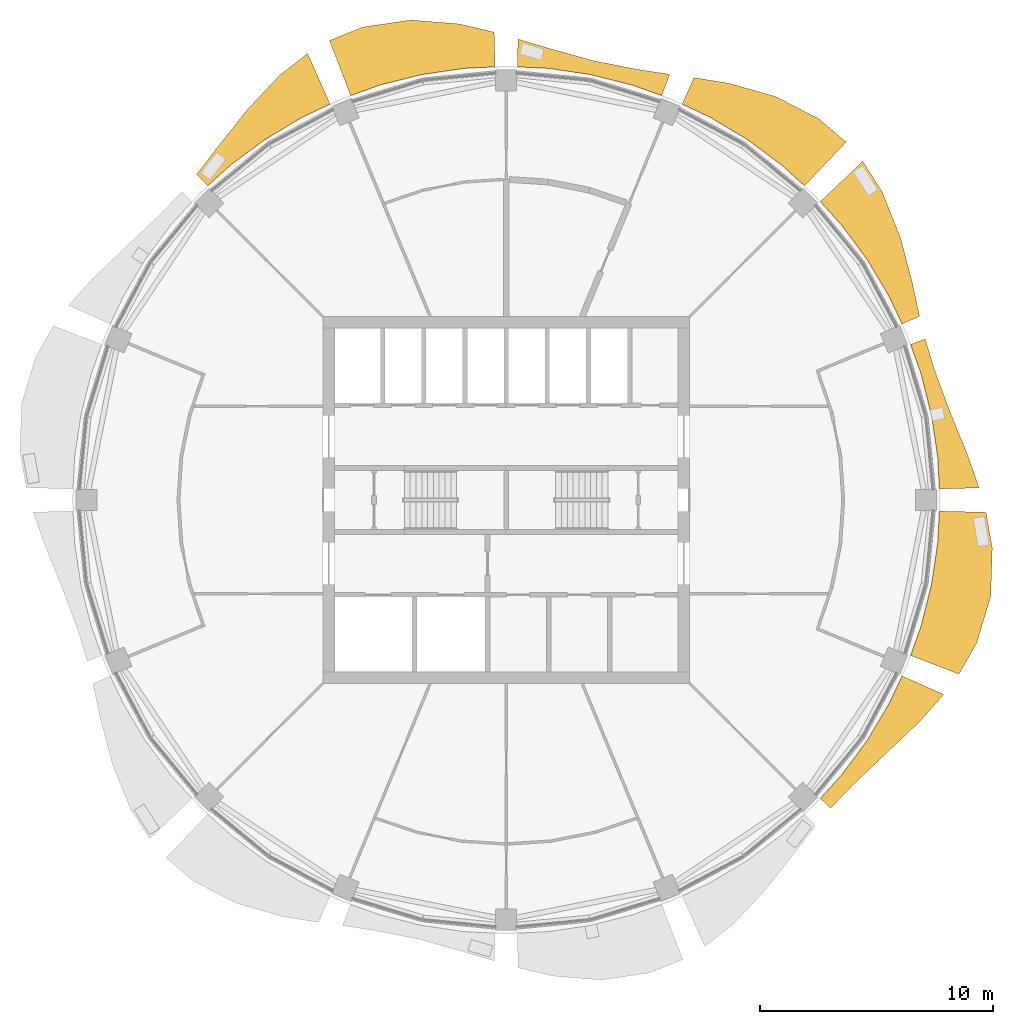
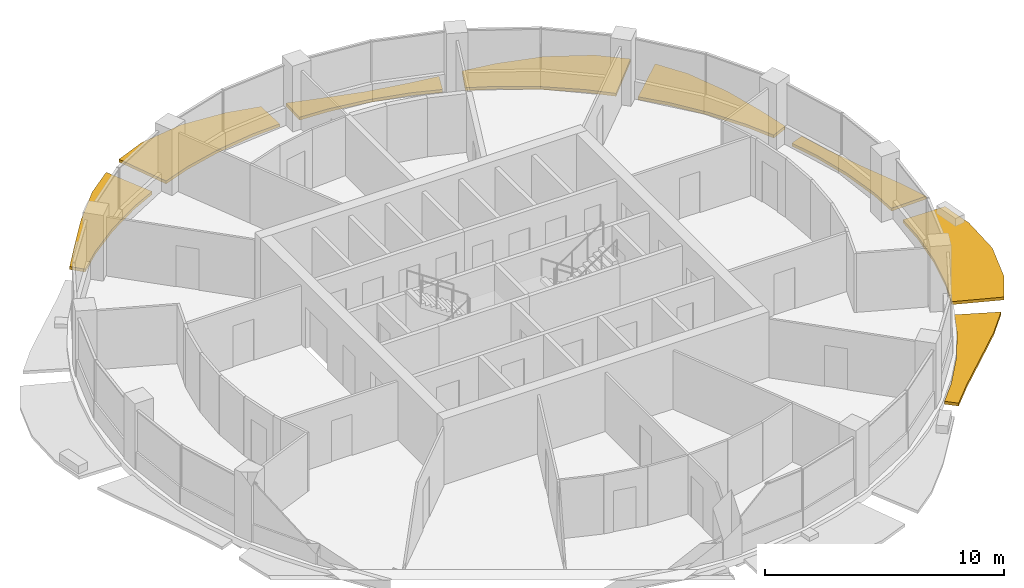
# One storey, part 14 of 15: 8 shading devices.
"""IFC4 building model written with IfcOpenShell, lengths in metres."""

from ifc_helpers import new_model, si_unit, direction, frame, origin, place, context, subcontext, project, spatial, polyline, outline, extrude, material, type_object, element, save


model = new_model("IFC4")

# Units and contexts
model_context = context("Model", 3, precision=1e-05, world=origin(), true_north=direction((0.0, 1.0)))
body_context = subcontext(model_context, "Body", "Model", "MODEL_VIEW")
ifc_project = project(units=[si_unit("LENGTHUNIT", "METRE"), si_unit("AREAUNIT", "SQUARE_METRE"), si_unit("VOLUMEUNIT", "CUBIC_METRE"), si_unit("PLANEANGLEUNIT", "RADIAN"), si_unit("MASSUNIT", "GRAM", prefix="KILO")], contexts=[model_context])

# Site, building, storey
site_placement = place(None, origin())
site = spatial("IfcSite", under=ifc_project, at=site_placement, CompositionType="ELEMENT")
building_placement = place(site_placement, origin())
building = spatial("IfcBuilding", under=site, at=building_placement, Name="Polderwave Tower", CompositionType="ELEMENT")
storey_placement = place(building_placement, frame((0.0, 0.0, 177.60009765625)))
storey = spatial("IfcBuildingStorey", under=building, at=storey_placement, Name="L47", CompositionType="ELEMENT", Elevation=177.60009765625)

# Shading devices
ifc_material = material(Name="Terracotta", Category="masonry")
shading_device_type = type_object("IfcShadingDeviceType", Name="Terracotta sunshade band", PredefinedType="USERDEFINED", material=ifc_material)
shading_device_1_placement = place(storey_placement, frame((0.0, 0.0, -0.35009765625)))
element("IfcShadingDevice", 1, at=shading_device_1_placement, inside=storey, type_object=shading_device_type, Name="Sunshade band L47 1", ObjectType="SUNSHADE", PredefinedType="USERDEFINED", context=body_context, shape_type="SweptSolid", body=[
    extrude(outline(polyline([(18.5966796875, 0.476318359375), (18.5302734375, 1.8251953125), (18.26220703125, 3.632568359375), (17.818115234375, 5.405029296875), (17.36328125, 6.676513671875), (17.985595703125, 6.915771484375), (18.39453125, 5.580078125), (19.05517578125, 3.790283203125), (19.805419921875, 1.95068359375), (20.306884765625, 0.52001953125), (18.5966796875, 0.476318359375)])), origin(), (0.0, 0.0, 1.0), 0.14990234375),
])
shading_device_2_placement = place(storey_placement, frame((0.0, 0.0, -0.35009765625)))
element("IfcShadingDevice", 2, at=shading_device_2_placement, inside=storey, type_object=shading_device_type, Name="Sunshade band L47 2", ObjectType="SUNSHADE", PredefinedType="USERDEFINED", context=body_context, shape_type="SweptSolid", body=[
    extrude(outline(polyline([(16.998779296875, 7.556640625), (16.42138671875, 8.77734375), (15.48193359375, 10.3447265625), (14.3935546875, 11.8125), (13.486572265625, 12.81298828125), (15.30908203125, 14.54443359375), (16.13818359375, 13.244384765625), (16.91845703125, 11.304443359375), (17.440185546875, 9.322021484375), (17.7470703125, 7.889404296875), (16.998779296875, 7.556640625)])), origin(), (0.0, 0.0, 1.0), 0.14990234375),
])
shading_device_3_placement = place(storey_placement, frame((0.0, 0.0, -0.35009765625)))
element("IfcShadingDevice", 3, at=shading_device_3_placement, inside=storey, type_object=shading_device_type, Name="Sunshade band L47 3", ObjectType="SUNSHADE", PredefinedType="USERDEFINED", context=body_context, shape_type="SweptSolid", body=[
    extrude(outline(polyline([(12.81298828125, 13.486572265625), (11.8125, 14.3935546875), (10.3447265625, 15.48193359375), (8.77734375, 16.42138671875), (7.556640625, 16.998779296875), (8.060791015625, 18.1328125), (9.56396484375, 17.892578125), (11.572998046875, 17.3203125), (13.4287109375, 16.363037109375), (14.599609375, 15.366943359375), (12.81298828125, 13.486572265625)])), origin(), (0.0, 0.0, 1.0), 0.14990234375),
])
shading_device_4_placement = place(storey_placement, frame((0.0, 0.0, -0.35009765625)))
element("IfcShadingDevice", 4, at=shading_device_4_placement, inside=storey, type_object=shading_device_type, Name="Sunshade band L47 4", ObjectType="SUNSHADE", PredefinedType="USERDEFINED", context=body_context, shape_type="SweptSolid", body=[
    extrude(outline(polyline([(6.676513671875, 17.36328125), (5.405029296875, 17.818115234375), (3.632568359375, 18.26220703125), (1.8251953125, 18.5302734375), (0.476318359375, 18.5966796875), (0.5068359375, 19.789794921875), (1.907958984375, 19.37255859375), (3.751220703125, 18.858642578125), (5.609619140625, 18.4921875), (7.026611328125, 18.27392578125), (6.676513671875, 17.36328125)])), origin(), (0.0, 0.0, 1.0), 0.14990234375),
])
shading_device_5_placement = place(storey_placement, frame((0.0, 0.0, -0.35009765625)))
element("IfcShadingDevice", 5, at=shading_device_5_placement, inside=storey, type_object=shading_device_type, Name="Sunshade band L47 5", ObjectType="SUNSHADE", PredefinedType="USERDEFINED", context=body_context, shape_type="SweptSolid", body=[
    extrude(outline(polyline([(-0.476318359375, 18.5966796875), (-1.8251953125, 18.5302734375), (-3.632568359375, 18.26220703125), (-5.405029296875, 17.818115234375), (-6.676513671875, 17.36328125), (-7.585693359375, 19.727783203125), (-6.1591796875, 20.303955078125), (-4.09912109375, 20.60791015625), (-2.01318359375, 20.439697265625), (-0.514404296875, 20.085205078125), (-0.476318359375, 18.5966796875)])), origin(), (0.0, 0.0, 1.0), 0.14990234375),
])
shading_device_6_placement = place(storey_placement, frame((0.0, 0.0, -0.35009765625)))
element("IfcShadingDevice", 6, at=shading_device_6_placement, inside=storey, type_object=shading_device_type, Name="Sunshade band L47 6", ObjectType="SUNSHADE", PredefinedType="USERDEFINED", context=body_context, shape_type="SweptSolid", body=[
    extrude(outline(polyline([(-7.556640625, 16.998779296875), (-8.77734375, 16.42138671875), (-10.3447265625, 15.48193359375), (-11.8125, 14.3935546875), (-12.81298828125, 13.486572265625), (-13.28564453125, 13.984130859375), (-12.41064453125, 15.122314453125), (-11.16259765625, 16.706298828125), (-9.741455078125, 18.224853515625), (-8.52392578125, 19.174560546875), (-7.556640625, 16.998779296875)])), origin(), (0.0, 0.0, 1.0), 0.14990234375),
])
shading_device_7_placement = place(storey_placement, frame((0.0, 0.0, -0.35009765625)))
element("IfcShadingDevice", 7, at=shading_device_7_placement, inside=storey, type_object=shading_device_type, Name="Sunshade band L47 15", ObjectType="SUNSHADE", PredefinedType="USERDEFINED", context=body_context, shape_type="SweptSolid", body=[
    extrude(outline(polyline([(13.486572265625, -12.81298828125), (14.3935546875, -11.8125), (15.48193359375, -10.3447265625), (16.42138671875, -8.77734375), (16.998779296875, -7.556640625), (18.788818359375, -8.352294921875), (17.772216796875, -9.49951171875), (16.30419921875, -10.89404296875), (14.897705078125, -12.22607421875), (13.926025390625, -13.23046875), (13.486572265625, -12.81298828125)])), origin(), (0.0, 0.0, 1.0), 0.14990234375),
])
shading_device_8_placement = place(storey_placement, frame((0.0, 0.0, -0.35009765625)))
element("IfcShadingDevice", 8, at=shading_device_8_placement, inside=storey, type_object=shading_device_type, Name="Sunshade band L47 16", ObjectType="SUNSHADE", PredefinedType="USERDEFINED", context=body_context, shape_type="SweptSolid", body=[
    extrude(outline(polyline([(17.36328125, -6.676513671875), (17.818115234375, -5.405029296875), (18.26220703125, -3.632568359375), (18.5302734375, -1.8251953125), (18.5966796875, -0.476318359375), (20.602294921875, -0.527587890625), (20.872802734375, -2.055908203125), (20.80419921875, -4.13818359375), (20.206298828125, -6.12939453125), (19.439453125, -7.474853515625), (17.36328125, -6.676513671875)])), origin(), (0.0, 0.0, 1.0), 0.14990234375),
])

save(model, "model.ifc")
